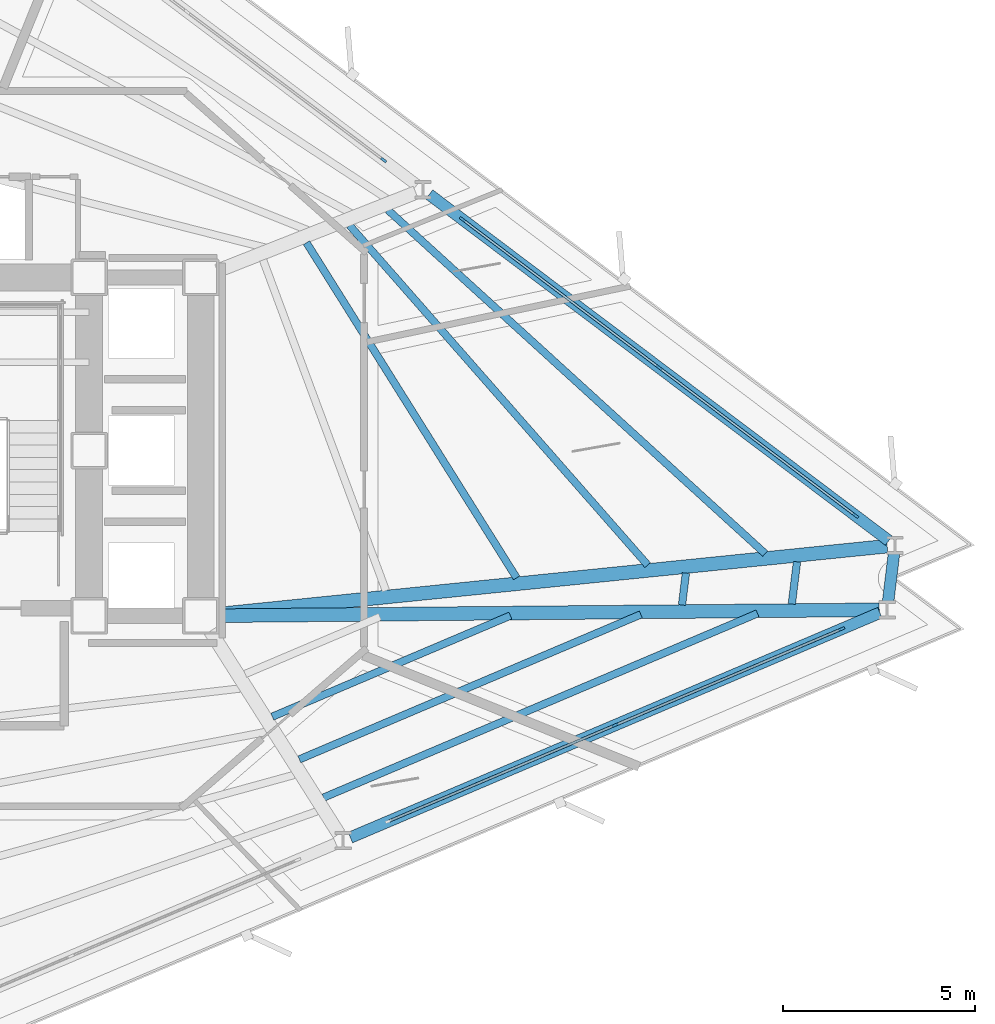
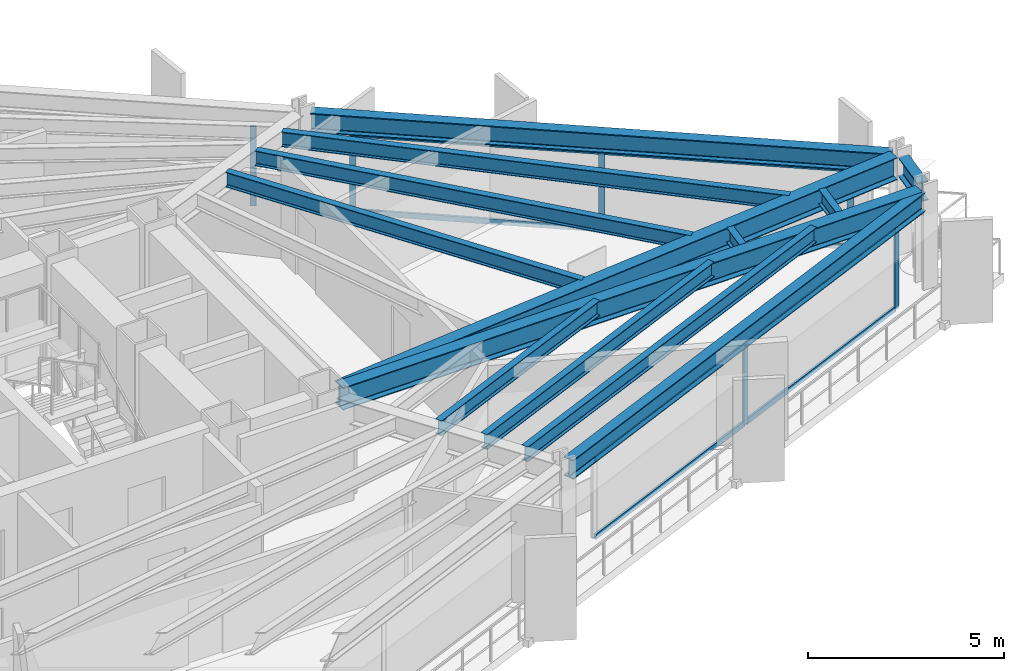
# One storey, part 4 of 13: 14 members, 13 beams, 3 elements without a shape of their own.
"""IFC4 building model written with IfcOpenShell, lengths in metres."""

import ifcopenshell
import ifcopenshell.guid

model = None  # the IFC model being written
_history = None  # IfcOwnerHistory: only IFC2X3 demands one
_inside = {}  # id of a spatial element -> (the spatial element, [elements in it])
_under = {}  # id of a project, library or spatial element -> (it, [spatial elements below it])
_declared = {}  # id of a project -> (the project, [libraries it declares])
_typed = {}  # id of a type object -> (the type object, [elements of that type])
_made_of = {}  # id of a material, layer set ... -> (it, [elements and type objects made of it])


def new_model(schema):
    """Start an empty IFC model of exactly this schema.

    Asked for "IFC4X3", IfcOpenShell would pick the latest addendum, in which some entities
    have other attributes; the version numbers below select the first issue.
    IFC2X3 requires an IfcOwnerHistory on every rooted entity: one is made here for all.
    """
    global model, _history
    if schema == "IFC4X3":
        model = ifcopenshell.file(schema_version=(4, 3, 0, 0))
    else:
        model = ifcopenshell.file(schema=schema)
    _inside.clear()
    _under.clear()
    _declared.clear()
    _typed.clear()
    _made_of.clear()
    _history = None
    if model.schema == "IFC2X3":
        org = make("IfcOrganization", Name="unknown")
        user = make(
            "IfcPersonAndOrganization",
            ThePerson=make("IfcPerson", FamilyName="unknown"),
            TheOrganization=org,
        )
        app = make(
            "IfcApplication",
            ApplicationDeveloper=org,
            Version="unknown",
            ApplicationFullName="unknown",
            ApplicationIdentifier="unknown",
        )
        _history = make(
            "IfcOwnerHistory",
            OwningUser=user,
            OwningApplication=app,
            ChangeAction="ADDED",
            CreationDate=0,
        )
    return model


def make(cls, **values):
    """One entity of the class cls with the attributes given. An attribute that is None is left unset."""
    return model.create_entity(
        cls, **{name: value for name, value in values.items() if value is not None}
    )


def rooted(cls, **values):
    """An entity with a GlobalId (a new one), such as an element, a storey or a relation."""
    return make(cls, GlobalId=ifcopenshell.guid.new(), OwnerHistory=_history, **values)


def si_unit(unit_type, name, prefix=None):
    """IfcSIUnit, for example si_unit("LENGTHUNIT", "METRE", prefix="MILLI")."""
    return make("IfcSIUnit", UnitType=unit_type, Prefix=prefix, Name=name)


def assignment(units):
    """IfcUnitAssignment: the units of a project."""
    return None if units is None else make("IfcUnitAssignment", Units=units)


def point(xyz):
    """IfcCartesianPoint."""
    return None if xyz is None else make("IfcCartesianPoint", Coordinates=xyz)


def direction(xyz):
    """IfcDirection."""
    return None if xyz is None else make("IfcDirection", DirectionRatios=xyz)


def frame(location, z_axis=None, x_axis=None):
    """IfcAxis2Placement3D, a coordinate frame: its origin and axes. An axis left out is left unset."""
    return make(
        "IfcAxis2Placement3D",
        Location=point(location),
        Axis=direction(z_axis),
        RefDirection=direction(x_axis),
    )


def frame_2d(location, x_axis=None):
    """IfcAxis2Placement2D, a coordinate frame in the plane: its origin and x axis."""
    return make(
        "IfcAxis2Placement2D", Location=point(location), RefDirection=direction(x_axis)
    )


def origin():
    """The frame at (0, 0, 0) with its axes left unset."""
    return frame((0.0, 0.0, 0.0))


def origin_2d():
    """The frame at (0, 0) in the plane with its x axis left unset."""
    return frame_2d((0.0, 0.0))


def place(relative_to, where):
    """IfcLocalPlacement: puts the frame where relative to a parent placement (None: the world)."""
    return make(
        "IfcLocalPlacement", PlacementRelTo=relative_to, RelativePlacement=where
    )


def context(
    kind, dimensions, precision=None, world=None, true_north=None, identifier=None
):
    """IfcGeometricRepresentationContext, for example the 3D "Model" context."""
    return make(
        "IfcGeometricRepresentationContext",
        ContextIdentifier=identifier,
        ContextType=kind,
        CoordinateSpaceDimension=dimensions,
        Precision=precision,
        WorldCoordinateSystem=world,
        TrueNorth=true_north,
    )


def subcontext(parent, identifier, kind, view, scale=None):
    """IfcGeometricRepresentationSubContext, for example "Body" below "Model"."""
    return make(
        "IfcGeometricRepresentationSubContext",
        ContextIdentifier=identifier,
        ContextType=kind,
        ParentContext=parent,
        TargetScale=scale,
        TargetView=view,
    )


def project(units=None, contexts=None):
    """IfcProject with its units and contexts."""
    return rooted(
        "IfcProject",
        Name="project",
        RepresentationContexts=contexts,
        UnitsInContext=assignment(units),
    )


def spatial(cls, under=None, at=None, **own):
    """A site, building, storey or space (cls), placed at a placement, below another one or the project."""
    s = rooted(cls, ObjectPlacement=at, **own)
    if under is not None:
        _under.setdefault(under.id(), (under, []))[1].append(s)
    return s


def profile(cls, at=None, kind="AREA", **sizes):
    """A parametric profile (cls). Its sizes go by their IFC names, for example OverallWidth=200.0."""
    return make(cls, ProfileType=kind, Position=at, **sizes)


def rectangle(**sizes):
    """IfcRectangleProfileDef."""
    return profile("IfcRectangleProfileDef", **sizes)


def i_section(**sizes):
    """IfcIShapeProfileDef."""
    return profile("IfcIShapeProfileDef", **sizes)


def extrude(swept, where, along, depth):
    """IfcExtrudedAreaSolid: the profile swept, set in the frame where, extruded along a direction by depth."""
    return make(
        "IfcExtrudedAreaSolid",
        SweptArea=swept,
        Position=where,
        ExtrudedDirection=direction(along),
        Depth=depth,
    )


def shape(context_of_items, identifier, shape_type, items):
    """IfcShapeRepresentation: the items that make up one representation, for example the "Body"."""
    return make(
        "IfcShapeRepresentation",
        ContextOfItems=context_of_items,
        RepresentationIdentifier=identifier,
        RepresentationType=shape_type,
        Items=items,
    )


def material(Name=None, Category=None):
    """IfcMaterial."""
    return make("IfcMaterial", Name=Name, Category=Category)


def layer(
    of_material, thickness, ventilated=None, Name=None, Category=None, Priority=None
):
    """IfcMaterialLayer: one layer of a wall or slab, of a material (None: an air gap)."""
    return make(
        "IfcMaterialLayer",
        Material=of_material,
        LayerThickness=thickness,
        IsVentilated=ventilated,
        Name=Name,
        Category=Category,
        Priority=Priority,
    )


def layer_set(layers, Name=None):
    """IfcMaterialLayerSet."""
    return make("IfcMaterialLayerSet", MaterialLayers=layers, LayerSetName=Name)


def material_profile(
    of_material, cross_section, Name=None, Category=None, Priority=None
):
    """IfcMaterialProfile: a cross section and its material."""
    return make(
        "IfcMaterialProfile",
        Name=Name,
        Material=of_material,
        Profile=cross_section,
        Priority=Priority,
        Category=Category,
    )


def profile_set(profiles, Name=None, composite=None):
    """IfcMaterialProfileSet."""
    return make(
        "IfcMaterialProfileSet",
        Name=Name,
        MaterialProfiles=profiles,
        CompositeProfile=composite,
    )


def made_of(thing, what):
    """Note that an element or type object is made of a material, layer set ...; save() writes the relation."""
    if what is not None:
        _made_of.setdefault(what.id(), (what, []))[1].append(thing)
    return thing


def type_object(cls, material=None, **own):
    """A type object (cls), such as IfcWallType, which elements share."""
    return made_of(rooted(cls, **own), material)


def element(
    cls,
    number,
    at=None,
    inside=None,
    cuts=None,
    type_object=None,
    material=None,
    context=None,
    identifier="Body",
    shape_type=None,
    held_by="IfcProductDefinitionShape",
    body=None,
    shapes=None,
    **own,
):
    """One element of the class cls, such as IfcWall. Its Tag is "e" and its number.

    at: its placement. inside: the storey or other place that contains it. cuts: it is an
    opening in that element (IfcRelVoidsElement). A single representation is given by context,
    identifier, shape_type and body (its items); several are given by shapes. held_by: the class
    of the entity that holds the representations. save() writes the other relations.
    """
    e = rooted(cls, Tag="e%d" % number, ObjectPlacement=at, **own)
    if body is not None:
        shapes = [shape(context, identifier, shape_type, body)]
    if shapes is not None:
        e.Representation = make(held_by, Representations=shapes)
    if inside is not None:
        _inside.setdefault(inside.id(), (inside, []))[1].append(e)
    if cuts is not None:
        rooted(
            "IfcRelVoidsElement", RelatingBuildingElement=cuts, RelatedOpeningElement=e
        )
    if type_object is not None:
        _typed.setdefault(type_object.id(), (type_object, []))[1].append(e)
    return made_of(e, material)


def aggregate(whole, parts):
    """IfcRelAggregates: a whole, such as a stair, and the parts it consists of."""
    return rooted("IfcRelAggregates", RelatingObject=whole, RelatedObjects=parts)


def save(model, path):
    """Write the relations noted so far, then the file.

    IfcRelAggregates (storeys below a building ...), IfcRelContainedInSpatialStructure (elements
    in a storey), IfcRelDefinesByType, IfcRelAssociatesMaterial and IfcRelDeclares: one each for
    every whole, place, type object, material and project.
    """
    for whole, parts in _under.values():
        aggregate(whole, parts)
    for where, things in _inside.values():
        rooted(
            "IfcRelContainedInSpatialStructure",
            RelatedElements=things,
            RelatingStructure=where,
        )
    for kind, things in _typed.values():
        rooted("IfcRelDefinesByType", RelatedObjects=things, RelatingType=kind)
    for what, things in _made_of.values():
        rooted("IfcRelAssociatesMaterial", RelatedObjects=things, RelatingMaterial=what)
    for by, libraries in _declared.values():
        rooted("IfcRelDeclares", RelatingContext=by, RelatedDefinitions=libraries)
    model.write(path)


model = new_model("IFC4")

# Units and contexts
model_context = context("Model", 3, precision=1e-05, world=origin(), true_north=direction((0.0, 1.0)))
body_context = subcontext(model_context, "Body", "Model", "MODEL_VIEW")
ifc_project = project(units=[si_unit("LENGTHUNIT", "METRE"), si_unit("AREAUNIT", "SQUARE_METRE"), si_unit("VOLUMEUNIT", "CUBIC_METRE"), si_unit("PLANEANGLEUNIT", "RADIAN"), si_unit("MASSUNIT", "GRAM", prefix="KILO")], contexts=[model_context])

# Site, building, storey
site_placement = place(None, origin())
site = spatial("IfcSite", under=ifc_project, at=site_placement, CompositionType="ELEMENT")
building_placement = place(site_placement, origin())
building = spatial("IfcBuilding", under=site, at=building_placement, Name="Rocaltana Carrier Exchange", CompositionType="ELEMENT")
storey_placement = place(building_placement, frame((0.0, 0.0, 56.320068359375)))
storey = spatial("IfcBuildingStorey", under=building, at=storey_placement, Name="L17", CompositionType="ELEMENT", Elevation=56.320068359375)

# Curtain wall, members
ifc_material_1 = material(Name="Aluminium 6063-T6", Category="aluminium")
ifc_layer = layer(ifc_material_1, 0.1650390625)
ifc_layer_set = layer_set([ifc_layer], Name="Aluminium 6063-T6")
curtain_wall_type = type_object("IfcCurtainWallType", Name="Lower-Mid Stepped Curtain Wall CW-02", PredefinedType="NOTDEFINED", material=ifc_layer_set)
curtain_wall_1_placement = place(storey_placement, origin())
curtain_wall_1 = element("IfcCurtainWall", 1, at=curtain_wall_1_placement, inside=storey, type_object=curtain_wall_type, Name="L17 CW-02 Run CW-L17-F1S1", PredefinedType="NOTDEFINED")
ifc_material_2 = material(Name="Aluminium 6063-T6", Category="aluminium")
ifc_material_profile_1 = material_profile(ifc_material_2, rectangle(XDim=0.06494140625, YDim=0.1650390625, at=origin_2d()), Name="AL-65X165")
ifc_profile_set_1 = profile_set([ifc_material_profile_1], Name="Aluminium 6063-T6")
member_type_1 = type_object("IfcMemberType", Name="CW-02 Mullion AL-65X165", PredefinedType="MULLION", material=ifc_profile_set_1)
member_1_placement = place(storey_placement, frame((25.978759765625, -1.69482421875, 0.0), z_axis=(0.0, 0.0, 1.0), x_axis=(-0.601806560833, -0.798641886792, 0.0)))
member_1 = element("IfcMember", 2, at=member_1_placement, type_object=member_type_1, Name="CW-02 mullion 1", PredefinedType="MULLION", context=body_context, shape_type="SweptSolid", body=[
    extrude(rectangle(XDim=0.06494140625, YDim=0.1650390625, at=origin_2d()), origin(), (0.0, 0.0, 1.0), 2.47802734375),
])
member_2_placement = place(storey_placement, frame((20.86669921875, 2.1572265625, 0.0), z_axis=(0.0, 0.0, 1.0), x_axis=(-0.601806560833, -0.798641886792, 0.0)))
member_2 = element("IfcMember", 3, at=member_2_placement, type_object=member_type_1, Name="CW-02 mullion 2", PredefinedType="MULLION", context=body_context, shape_type="SweptSolid", body=[
    extrude(rectangle(XDim=0.06494140625, YDim=0.1650390625, at=origin_2d()), origin(), (0.0, 0.0, 1.0), 2.47802734375),
])
member_3_placement = place(storey_placement, frame((15.754638671875, 6.00927734375, 0.0), z_axis=(0.0, 0.0, 1.0), x_axis=(-0.601806560833, -0.798641886792, 0.0)))
member_3 = element("IfcMember", 4, at=member_3_placement, type_object=member_type_1, Name="CW-02 mullion 3", PredefinedType="MULLION", context=body_context, shape_type="SweptSolid", body=[
    extrude(rectangle(XDim=0.06494140625, YDim=0.1650390625, at=origin_2d()), origin(), (0.0, 0.0, 1.0), 2.47802734375),
])

# Curtain wall, member
curtain_wall_2_placement = place(storey_placement, origin())
curtain_wall_2 = element("IfcCurtainWall", 5, at=curtain_wall_2_placement, inside=storey, type_object=curtain_wall_type, Name="L17 CW-02 Run CW-L17-F1S2", PredefinedType="NOTDEFINED")
member_4_placement = place(storey_placement, frame((13.706298828125, 7.552978515625, 0.0), z_axis=(0.0, 0.0, 1.0), x_axis=(-0.601815253533, -0.798635336443, 0.0)))
member_4 = element("IfcMember", 6, at=member_4_placement, type_object=member_type_1, Name="CW-02 mullion 1", PredefinedType="MULLION", context=body_context, shape_type="SweptSolid", body=[
    extrude(rectangle(XDim=0.06494140625, YDim=0.1650390625, at=origin_2d()), origin(), (0.0, 0.0, 1.0), 2.47802734375),
])
aggregate(curtain_wall_2, [member_4])

# Curtain wall, members
curtain_wall_3_placement = place(storey_placement, origin())
curtain_wall_3 = element("IfcCurtainWall", 7, at=curtain_wall_3_placement, inside=storey, type_object=curtain_wall_type, Name="L17 CW-02 Run CW-L17-F3S3", PredefinedType="NOTDEFINED")
member_5_placement = place(storey_placement, frame((19.72509765625, -7.141357421875, 0.0), z_axis=(0.0, 0.0, 1.0), x_axis=(-0.390735259141, 0.920503100084, 0.0)))
member_5 = element("IfcMember", 8, at=member_5_placement, type_object=member_type_1, Name="CW-02 mullion 2", PredefinedType="MULLION", context=body_context, shape_type="SweptSolid", body=[
    extrude(rectangle(XDim=0.06494140625, YDim=0.1650390625, at=origin_2d()), origin(), (0.0, 0.0, 1.0), 2.47802734375),
])
member_6_placement = place(storey_placement, frame((25.6171875, -4.64013671875, 0.0), z_axis=(0.0, 0.0, 1.0), x_axis=(-0.390735259141, 0.920503100084, 0.0)))
member_6 = element("IfcMember", 9, at=member_6_placement, type_object=member_type_1, Name="CW-02 mullion 3", PredefinedType="MULLION", context=body_context, shape_type="SweptSolid", body=[
    extrude(rectangle(XDim=0.06494140625, YDim=0.1650390625, at=origin_2d()), origin(), (0.0, 0.0, 1.0), 2.47802734375),
])

# Member
ifc_material_3 = material(Name="Aluminium 6063-T6", Category="aluminium")
ifc_material_profile_2 = material_profile(ifc_material_3, rectangle(XDim=0.06494140625, YDim=0.1650390625, at=origin_2d()), Name="AL-65X165")
ifc_profile_set_2 = profile_set([ifc_material_profile_2], Name="Aluminium 6063-T6")
member_type_2 = type_object("IfcMemberType", Name="CW-02 Transom AL-65X165", PredefinedType="USERDEFINED", material=ifc_profile_set_2)
member_7_placement = place(storey_placement, frame((25.95263671875, -1.67529296875, 0.032470703125), z_axis=(-0.798638496284, 0.601811060261, 0.0), x_axis=(-0.601811060261, -0.798638496284, 0.0)))
member_7 = element("IfcMember", 10, at=member_7_placement, type_object=member_type_2, Name="CW-02 transom 1.1", ObjectType="TRANSOM", PredefinedType="USERDEFINED", context=body_context, shape_type="SweptSolid", body=[
    extrude(rectangle(XDim=0.06494140625, YDim=0.1650390625, at=origin_2d()), origin(), (0.0, 0.0, 1.0), 6.3359375),
])

member_8_placement = place(storey_placement, frame((25.95263671875, -1.67529296875, 2.4453125), z_axis=(-0.798638496284, 0.601811060261, 0.0), x_axis=(-0.601811060261, -0.798638496284, 0.0)))
member_8 = element("IfcMember", 11, at=member_8_placement, type_object=member_type_2, Name="CW-02 transom 1.2", ObjectType="TRANSOM", PredefinedType="USERDEFINED", context=body_context, shape_type="SweptSolid", body=[
    extrude(rectangle(XDim=0.06494140625, YDim=0.1650390625, at=origin_2d()), origin(), (0.0, 0.0, 1.0), 6.3359375),
])

member_9_placement = place(storey_placement, frame((20.8408203125, 2.1767578125, 0.032470703125), z_axis=(-0.798638496284, 0.601811060261, 0.0), x_axis=(-0.601811060261, -0.798638496284, 0.0)))
member_9 = element("IfcMember", 12, at=member_9_placement, type_object=member_type_2, Name="CW-02 transom 2.1", ObjectType="TRANSOM", PredefinedType="USERDEFINED", context=body_context, shape_type="SweptSolid", body=[
    extrude(rectangle(XDim=0.06494140625, YDim=0.1650390625, at=origin_2d()), origin(), (0.0, 0.0, 1.0), 6.3359375),
])

member_10_placement = place(storey_placement, frame((20.8408203125, 2.1767578125, 2.4453125), z_axis=(-0.798638496284, 0.601811060261, 0.0), x_axis=(-0.601811060261, -0.798638496284, 0.0)))
member_10 = element("IfcMember", 13, at=member_10_placement, type_object=member_type_2, Name="CW-02 transom 2.2", ObjectType="TRANSOM", PredefinedType="USERDEFINED", context=body_context, shape_type="SweptSolid", body=[
    extrude(rectangle(XDim=0.06494140625, YDim=0.1650390625, at=origin_2d()), origin(), (0.0, 0.0, 1.0), 6.3359375),
])

aggregate(curtain_wall_1, [member_1, member_2, member_3, member_7, member_8, member_9, member_10])

member_11_placement = place(storey_placement, frame((13.863037109375, -9.629638671875, 0.032470703125), z_axis=(0.920502835622, 0.390735882167, 0.0), x_axis=(-0.390735882167, 0.920502835622, 0.0)))
member_11 = element("IfcMember", 14, at=member_11_placement, type_object=member_type_2, Name="CW-02 transom 1.1", ObjectType="TRANSOM", PredefinedType="USERDEFINED", context=body_context, shape_type="SweptSolid", body=[
    extrude(rectangle(XDim=0.06494140625, YDim=0.1650390625, at=origin_2d()), origin(), (0.0, 0.0, 1.0), 6.335693359375),
])

member_12_placement = place(storey_placement, frame((13.863037109375, -9.629638671875, 2.4453125), z_axis=(0.920502835622, 0.390735882167, 0.0), x_axis=(-0.390735882167, 0.920502835622, 0.0)))
member_12 = element("IfcMember", 15, at=member_12_placement, type_object=member_type_2, Name="CW-02 transom 1.2", ObjectType="TRANSOM", PredefinedType="USERDEFINED", context=body_context, shape_type="SweptSolid", body=[
    extrude(rectangle(XDim=0.06494140625, YDim=0.1650390625, at=origin_2d()), origin(), (0.0, 0.0, 1.0), 6.335693359375),
])

member_13_placement = place(storey_placement, frame((19.7548828125, -7.128662109375, 0.032470703125), z_axis=(0.920494859312, 0.390754672372, 0.0), x_axis=(-0.390754672372, 0.920494859312, 0.0)))
member_13 = element("IfcMember", 16, at=member_13_placement, type_object=member_type_2, Name="CW-02 transom 2.1", ObjectType="TRANSOM", PredefinedType="USERDEFINED", context=body_context, shape_type="SweptSolid", body=[
    extrude(rectangle(XDim=0.06494140625, YDim=0.1650390625, at=origin_2d()), origin(), (0.0, 0.0, 1.0), 6.3359375),
])

member_14_placement = place(storey_placement, frame((19.7548828125, -7.128662109375, 2.4453125), z_axis=(0.920494859312, 0.390754672372, 0.0), x_axis=(-0.390754672372, 0.920494859312, 0.0)))
member_14 = element("IfcMember", 17, at=member_14_placement, type_object=member_type_2, Name="CW-02 transom 2.2", ObjectType="TRANSOM", PredefinedType="USERDEFINED", context=body_context, shape_type="SweptSolid", body=[
    extrude(rectangle(XDim=0.06494140625, YDim=0.1650390625, at=origin_2d()), origin(), (0.0, 0.0, 1.0), 6.3359375),
])

aggregate(curtain_wall_3, [member_5, member_6, member_11, member_12, member_13, member_14])

# Beams
ifc_material_4 = material(Name="Steel S355", Category="steel")
ifc_material_profile_3 = material_profile(ifc_material_4, i_section(OverallWidth=0.193115234375, OverallDepth=0.466064453125, WebThickness=0.011474609375, FlangeThickness=0.01904296875, FilletRadius=0.013916015625, at=origin_2d()), Name="W18X65")
ifc_profile_set_3 = profile_set([ifc_material_profile_3], Name="Steel S355")
beam_type_1 = type_object("IfcBeamType", Name="Floor Joist W18X65", PredefinedType="JOIST", material=ifc_profile_set_3)
beam_1_placement = place(storey_placement, frame((17.1630859375, -3.311279296875, 2.864990234375), z_axis=(-0.531103653512, 0.847306856591, 0.0), x_axis=(-0.847306856591, -0.531103653512, 0.0)))
element("IfcBeam", 18, at=beam_1_placement, inside=storey, type_object=beam_type_1, Name="FJ-L17-01-2", PredefinedType="JOIST", context=body_context, shape_type="SweptSolid", body=[
    extrude(i_section(OverallWidth=0.193115234375, OverallDepth=0.466064453125, WebThickness=0.011474609375, FlangeThickness=0.01904296875, FilletRadius=0.013916015625, at=origin_2d()), origin(), (0.0, 0.0, 1.0), 10.285888671875),
])
beam_2_placement = place(storey_placement, frame((20.5712890625, -2.9794921875, 2.864990234375), z_axis=(-0.659558512546, 0.751653223587, 0.0), x_axis=(-0.751653223587, -0.659558512546, 0.0)))
element("IfcBeam", 19, at=beam_2_placement, inside=storey, type_object=beam_type_1, Name="FJ-L17-01-3", PredefinedType="JOIST", context=body_context, shape_type="SweptSolid", body=[
    extrude(i_section(OverallWidth=0.193115234375, OverallDepth=0.466064453125, WebThickness=0.011474609375, FlangeThickness=0.01904296875, FilletRadius=0.013916015625, at=origin_2d()), origin(), (0.0, 0.0, 1.0), 11.751708984375),
])
beam_3_placement = place(storey_placement, frame((23.626708984375, -2.68115234375, 2.864990234375), z_axis=(-0.739263706451, 0.673416046976, 0.0), x_axis=(-0.673416046976, -0.739263706451, 0.0)))
element("IfcBeam", 20, at=beam_3_placement, inside=storey, type_object=beam_type_1, Name="FJ-L17-01-4", PredefinedType="JOIST", context=body_context, shape_type="SweptSolid", body=[
    extrude(i_section(OverallWidth=0.193115234375, OverallDepth=0.466064453125, WebThickness=0.011474609375, FlangeThickness=0.01904296875, FilletRadius=0.013916015625, at=origin_2d()), origin(), (0.0, 0.0, 1.0), 13.269775390625),
])
beam_4_placement = place(storey_placement, frame((10.81103515625, -6.9208984375, 2.864990234375), z_axis=(0.920502665094, 0.390736283898, 0.0), x_axis=(-0.390736283898, 0.920502665094, 0.0)))
element("IfcBeam", 21, at=beam_4_placement, inside=storey, type_object=beam_type_1, Name="FJ-L17-11-2", PredefinedType="JOIST", context=body_context, shape_type="SweptSolid", body=[
    extrude(i_section(OverallWidth=0.193115234375, OverallDepth=0.466064453125, WebThickness=0.011474609375, FlangeThickness=0.01904296875, FilletRadius=0.013916015625, at=origin_2d()), origin(), (0.0, 0.0, 1.0), 6.7255859375),
])
beam_5_placement = place(storey_placement, frame((11.514404296875, -8.03125, 2.864990234375), z_axis=(0.920503721311, 0.390733795636, 0.0), x_axis=(-0.390733795636, 0.920503721311, 0.0)))
element("IfcBeam", 22, at=beam_5_placement, inside=storey, type_object=beam_type_1, Name="FJ-L17-11-3", PredefinedType="JOIST", context=body_context, shape_type="SweptSolid", body=[
    extrude(i_section(OverallWidth=0.193115234375, OverallDepth=0.466064453125, WebThickness=0.011474609375, FlangeThickness=0.01904296875, FilletRadius=0.013916015625, at=origin_2d()), origin(), (0.0, 0.0, 1.0), 9.6455078125),
])
beam_6_placement = place(storey_placement, frame((12.143798828125, -9.024658203125, 2.864990234375), z_axis=(0.920504513762, 0.390731928749, 0.0), x_axis=(-0.390731928749, 0.920504513762, 0.0)))
element("IfcBeam", 23, at=beam_6_placement, inside=storey, type_object=beam_type_1, Name="FJ-L17-11-4", PredefinedType="JOIST", context=body_context, shape_type="SweptSolid", body=[
    extrude(i_section(OverallWidth=0.193115234375, OverallDepth=0.466064453125, WebThickness=0.011474609375, FlangeThickness=0.01904296875, FilletRadius=0.013916015625, at=origin_2d()), origin(), (0.0, 0.0, 1.0), 12.2578125),
])
beam_7_placement = place(storey_placement, frame((21.464111328125, -4.01708984375, 2.864990234375), z_axis=(0.122022478493, 0.992527337025, 0.0), x_axis=(-0.992527337025, 0.122022478493, 0.0)))
element("IfcBeam", 24, at=beam_7_placement, inside=storey, type_object=beam_type_1, Name="FJ-L17-12-3", PredefinedType="JOIST", context=body_context, shape_type="SweptSolid", body=[
    extrude(i_section(OverallWidth=0.193115234375, OverallDepth=0.466064453125, WebThickness=0.011474609375, FlangeThickness=0.01904296875, FilletRadius=0.013916015625, at=origin_2d()), origin(), (0.0, 0.0, 1.0), 0.83642578125),
])
beam_8_placement = place(storey_placement, frame((24.31982421875, -3.991455078125, 2.864990234375), z_axis=(0.121834081675, 0.992550480602, 0.0), x_axis=(-0.992550480602, 0.121834081675, 0.0)))
element("IfcBeam", 25, at=beam_8_placement, inside=storey, type_object=beam_type_1, Name="FJ-L17-12-4", PredefinedType="JOIST", context=body_context, shape_type="SweptSolid", body=[
    extrude(i_section(OverallWidth=0.193115234375, OverallDepth=0.466064453125, WebThickness=0.011474609375, FlangeThickness=0.01904296875, FilletRadius=0.013916015625, at=origin_2d()), origin(), (0.0, 0.0, 1.0), 1.106201171875),
])
ifc_material_5 = material(Name="Steel S355", Category="steel")
ifc_material_profile_4 = material_profile(ifc_material_5, i_section(OverallWidth=0.35498046875, OverallDepth=0.695068359375, WebThickness=0.015380859375, FlangeThickness=0.02490234375, FilletRadius=0.01806640625, at=origin_2d()), Name="W27X146")
ifc_profile_set_4 = profile_set([ifc_material_profile_4], Name="Steel S355")
beam_type_2 = type_object("IfcBeamType", Name="Radial Girder W27X146", PredefinedType="BEAM", material=ifc_profile_set_4)
beam_9_placement = place(storey_placement, frame((9.41455078125, -4.252685546875, 2.75048828125), z_axis=(0.994883866015, 0.101025210436, 0.0), x_axis=(-0.101025210436, 0.994883866015, 0.0)))
element("IfcBeam", 26, at=beam_9_placement, inside=storey, type_object=beam_type_2, Name="RG-L17-01", PredefinedType="BEAM", context=body_context, shape_type="SweptSolid", body=[
    extrude(i_section(OverallWidth=0.35498046875, OverallDepth=0.695068359375, WebThickness=0.015380859375, FlangeThickness=0.02490234375, FilletRadius=0.01806640625, at=origin_2d()), origin(), (0.0, 0.0, 1.0), 17.474609375),
])
beam_10_placement = place(storey_placement, frame((9.4169921875, -4.2958984375, 2.75048828125), z_axis=(0.999959271259, 0.009025288, 0.0), x_axis=(-0.009025288, 0.999959271259, 0.0)))
element("IfcBeam", 27, at=beam_10_placement, inside=storey, type_object=beam_type_2, Name="RG-L17-12", PredefinedType="BEAM", context=body_context, shape_type="SweptSolid", body=[
    extrude(i_section(OverallWidth=0.35498046875, OverallDepth=0.695068359375, WebThickness=0.015380859375, FlangeThickness=0.02490234375, FilletRadius=0.01806640625, at=origin_2d()), origin(), (0.0, 0.0, 1.0), 17.17724609375),
])
ifc_material_6 = material(Name="Steel S355", Category="steel")
ifc_material_profile_5 = material_profile(ifc_material_6, i_section(OverallWidth=0.300048828125, OverallDepth=0.60009765625, WebThickness=0.015380859375, FlangeThickness=0.030029296875, FilletRadius=0.027099609375, at=origin_2d()), Name="HEB600")
ifc_profile_set_5 = profile_set([ifc_material_profile_5], Name="Steel S355")
beam_type_3 = type_object("IfcBeamType", Name="Spandrel Edge Beam HEB600", PredefinedType="SPANDREL", material=ifc_profile_set_5)
for number, where, z_axis, x_axis, name in (
    (28, (26.840087890625, -2.343994140625, 2.7978515625), (-0.798646600906, 0.601800304803, 0.0), (-0.601800304803, -0.798646600906, 0.0), "SP-L17-01"),
    (29, (12.84033203125, -10.063720703125, 2.7978515625), (0.920501211771, 0.390739707642, 0.0), (-0.390739707642, 0.920501211771, 0.0), "SP-L17-11"),
):
    element("IfcBeam", number, at=place(storey_placement, frame(where, z_axis=z_axis, x_axis=x_axis)), inside=storey, type_object=beam_type_3, Name=name, PredefinedType="SPANDREL", context=body_context, shape_type="SweptSolid", body=[
        extrude(i_section(OverallWidth=0.300048828125, OverallDepth=0.60009765625, WebThickness=0.015380859375, FlangeThickness=0.030029296875, FilletRadius=0.027099609375, at=origin_2d()), origin(), (0.0, 0.0, 1.0), 14.958740234375),
    ])
beam_11_placement = place(storey_placement, frame((26.822509765625, -3.9365234375, 2.7978515625), z_axis=(0.121798770325, 0.992554814379, 0.0), x_axis=(-0.992554814379, 0.121798770325, 0.0)))
element("IfcBeam", 30, at=beam_11_placement, inside=storey, type_object=beam_type_3, Name="SP-L17-12", PredefinedType="SPANDREL", context=body_context, shape_type="SweptSolid", body=[
    extrude(i_section(OverallWidth=0.300048828125, OverallDepth=0.60009765625, WebThickness=0.015380859375, FlangeThickness=0.030029296875, FilletRadius=0.027099609375, at=origin_2d()), origin(), (0.0, 0.0, 1.0), 1.27685546875),
])

save(model, "model.ifc")
